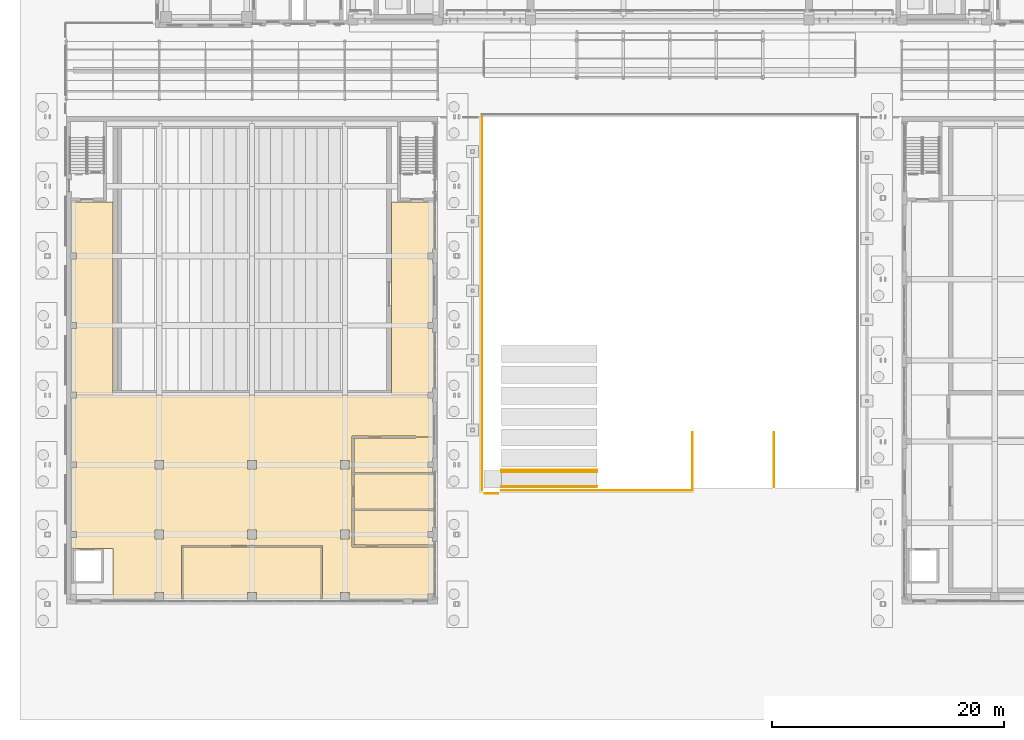
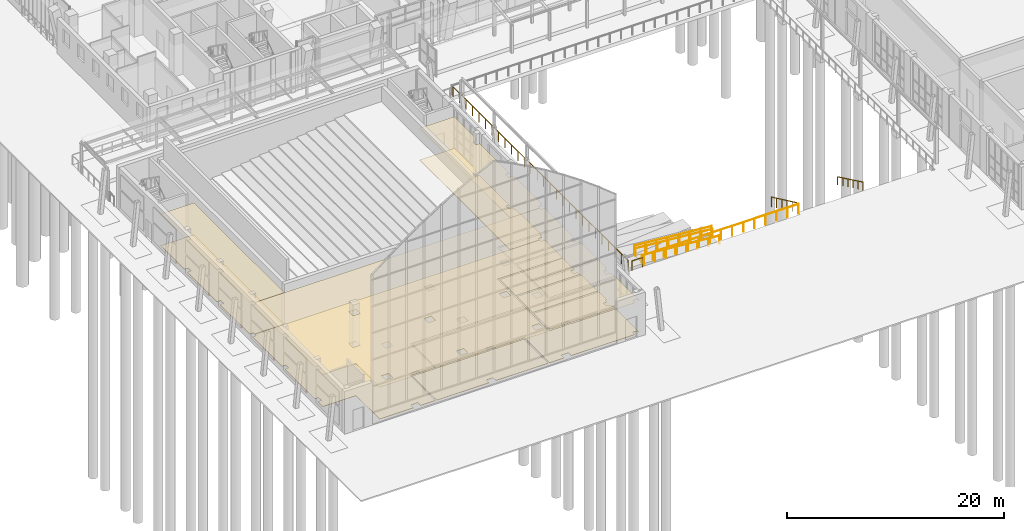
# One storey, part 119 of 144: 14 coverings, 8 railings.
"""IFC4 building model written with IfcOpenShell, lengths in metres."""

from ifc_helpers import new_model, si_unit, direction, frame, origin, origin_2d, place, context, subcontext, project, spatial, polyline, circle, outline, extrude, material, layer, layer_set, type_object, element, save


model = new_model("IFC4")

# Units and contexts
model_context = context("Model", 3, precision=1e-05, world=origin(), true_north=direction((0.0, 1.0)))
body_context = subcontext(model_context, "Body", "Model", "MODEL_VIEW")
ifc_project = project(units=[si_unit("LENGTHUNIT", "METRE"), si_unit("AREAUNIT", "SQUARE_METRE"), si_unit("VOLUMEUNIT", "CUBIC_METRE"), si_unit("PLANEANGLEUNIT", "RADIAN"), si_unit("MASSUNIT", "GRAM", prefix="KILO")], contexts=[model_context])

# Site, building, storey
site_placement = place(None, origin())
site = spatial("IfcSite", under=ifc_project, at=site_placement, CompositionType="ELEMENT")
building_placement = place(site_placement, origin())
building = spatial("IfcBuilding", under=site, at=building_placement, Name="Lantern Court Media Centre", CompositionType="ELEMENT")
storey_placement = place(building_placement, origin())
storey = spatial("IfcBuildingStorey", under=building, at=storey_placement, Name="L00", CompositionType="ELEMENT", Elevation=0.0)

# Coverings
ifc_material_1 = material(Name="Carpet")
ifc_layer_1 = layer(ifc_material_1, 0.050048828125)
ifc_layer_set_1 = layer_set([ifc_layer_1], Name="Carpet")
covering_type_1 = type_object("IfcCoveringType", Name="Carpet floor finish", PredefinedType="FLOORING", material=ifc_layer_set_1)
covering_1_placement = place(storey_placement, origin())
element("IfcCovering", 1, at=covering_1_placement, inside=storey, type_object=covering_type_1, Name="Cinema Concessions floor finish", PredefinedType="FLOORING", context=body_context, shape_type="SweptSolid", body=[
    extrude(outline(polyline([(16.3798828125, -1.544921875), (16.375, -1.02001953125), (15.622314453125, -1.020751953125), (15.6201171875, -1.544921875), (10.0673828125, -1.544921875), (10.0673828125, 2.9326171875), (21.9326171875, 2.9326171875), (21.9326171875, -1.544921875), (16.3798828125, -1.544921875)])), origin(), (0.0, 0.0, 1.0), 0.050048828125),
])
ifc_material_2 = material(Name="Ceramic tile")
ifc_layer_2 = layer(ifc_material_2, 0.050048828125)
ifc_layer_set_2 = layer_set([ifc_layer_2], Name="Ceramic tile")
covering_type_2 = type_object("IfcCoveringType", Name="Ceramic tile floor finish", PredefinedType="FLOORING", material=ifc_layer_set_2)
covering_2_placement = place(storey_placement, origin())
element("IfcCovering", 2, at=covering_2_placement, inside=storey, type_object=covering_type_2, Name="WC Male floor finish", PredefinedType="FLOORING", context=body_context, shape_type="SweptSolid", body=[
    extrude(outline(polyline([(31.699951171875, 3.080078125), (24.780029296875, 3.080078125), (24.780029296875, 6.052978515625), (31.699951171875, 6.052978515625), (31.699951171875, 4.60498046875), (31.54541015625, 4.601806640625), (31.544921875, 4.2548828125), (31.14501953125, 4.25), (31.1455078125, 3.74755859375), (31.544921875, 3.7451171875), (31.545166015625, 3.39892578125), (31.699951171875, 3.39501953125), (31.699951171875, 3.080078125)])), origin(), (0.0, 0.0, 1.0), 0.050048828125),
])
covering_3_placement = place(storey_placement, origin())
element("IfcCovering", 3, at=covering_3_placement, inside=storey, type_object=covering_type_2, Name="WC Female floor finish", PredefinedType="FLOORING", context=body_context, shape_type="SweptSolid", body=[
    extrude(outline(polyline([(31.699951171875, 6.212890625), (24.780029296875, 6.212890625), (24.780029296875, 9.18701171875), (31.699951171875, 9.18701171875), (31.699951171875, 6.212890625)])), origin(), (0.0, 0.0, 1.0), 0.050048828125),
])
covering_4_placement = place(storey_placement, origin())
element("IfcCovering", 4, at=covering_4_placement, inside=storey, type_object=covering_type_2, Name="Accessible WC floor finish", PredefinedType="FLOORING", context=body_context, shape_type="SweptSolid", body=[
    extrude(outline(polyline([(31.699951171875, 9.346923828125), (24.780029296875, 9.346923828125), (24.780029296875, 12.320068359375), (30.14501953125, 12.320068359375), (30.14990234375, 12.39990234375), (31.544921875, 12.39990234375), (31.544921875, 10.2548828125), (31.146240234375, 10.253173828125), (31.14501953125, 9.74951171875), (31.544921875, 9.7451171875), (31.54541015625, 9.398193359375), (31.699951171875, 9.39501953125), (31.699951171875, 9.346923828125)])), origin(), (0.0, 0.0, 1.0), 0.050048828125),
])

# Railings
ifc_material_3 = material(Name="Powder-coated steel", Category="steel")
railing_type_1 = type_object("IfcRailingType", Name="Floor edge guard 1100", PredefinedType="GUARDRAIL", material=ifc_material_3)
railing_1_placement = place(storey_placement, frame((36.0869140625, 7.5400390625, 0.0)))
element("IfcRailing", 5, at=railing_1_placement, inside=storey, type_object=railing_type_1, Name="L00 opening guard 11", PredefinedType="GUARDRAIL", context=body_context, shape_type="SweptSolid", body=[
    extrude(circle(Radius=0.02392578125, at=origin_2d()), frame((0.0, 0.0, 1.076171875), z_axis=(1.0, 0.0, 0.0), x_axis=(0.0, 1.0, 0.0)), (0.0, 0.0, 1.0), 1.126220703125),
    extrude(circle(Radius=0.02099609375, at=origin_2d()), origin(), (0.0, 0.0, 1.0), 1.052001953125),
    extrude(circle(Radius=0.02099609375, at=origin_2d()), frame((1.126220703125, 0.0, 0.0)), (0.0, 0.0, 1.0), 1.052001953125),
])
ifc_material_4 = material(Name="Steel, galvanised", Category="steel")
railing_type_2 = type_object("IfcRailingType", Name="Forecourt guard 1100", PredefinedType="GUARDRAIL", material=ifc_material_4)
railing_2_placement = place(storey_placement, frame((53.949951171875, 12.800048828125, -2.25)))
element("IfcRailing", 6, at=railing_2_placement, inside=storey, type_object=railing_type_2, Name="Steps guard, upper flight", PredefinedType="GUARDRAIL", context=body_context, shape_type="SweptSolid", body=[
    extrude(circle(Radius=0.02392578125, at=origin_2d()), frame((0.0, 0.0, 1.076171875), z_axis=(0.0, -0.90546059521, 0.424430336476), x_axis=(1.0, 0.0, 0.0)), (0.0, 0.0, 1.0), 5.30126953125),
    extrude(circle(Radius=0.02099609375, at=origin_2d()), origin(), (0.0, 0.0, 1.0), 1.052001953125),
    extrude(circle(Radius=0.02099609375, at=origin_2d()), frame((0.0, -0.9599609375, 0.449951171875)), (0.0, 0.0, 1.0), 1.052001953125),
    extrude(circle(Radius=0.02099609375, at=origin_2d()), frame((0.0, -1.919921875, 0.89990234375)), (0.0, 0.0, 1.0), 1.052001953125),
    extrude(circle(Radius=0.02099609375, at=origin_2d()), frame((0.0, -2.880126953125, 1.35009765625)), (0.0, 0.0, 1.0), 1.052001953125),
    extrude(circle(Radius=0.02099609375, at=origin_2d()), frame((0.0, -3.840087890625, 1.800048828125)), (0.0, 0.0, 1.0), 1.052001953125),
    extrude(circle(Radius=0.02099609375, at=origin_2d()), frame((0.0, -4.800048828125, 2.25)), (0.0, 0.0, 1.0), 1.052001953125),
])
railing_3_placement = place(storey_placement, frame((37.5, 9.550048828125, 0.0)))
element("IfcRailing", 7, at=railing_3_placement, inside=storey, type_object=railing_type_2, Name="Ramp 1 guard N", PredefinedType="GUARDRAIL", context=body_context, shape_type="SweptSolid", body=[
    extrude(circle(Radius=0.02392578125, at=origin_2d()), frame((0.0, 0.0, 1.076171875), z_axis=(0.99654494254, 0.0, -0.083055267731), x_axis=(0.0, 1.0, 0.0)), (0.0, 0.0, 1.0), 8.257080078125),
    extrude(circle(Radius=0.02099609375, at=origin_2d()), origin(), (0.0, 0.0, 1.0), 1.052001953125),
    extrude(circle(Radius=0.02099609375, at=origin_2d()), frame((1.175537109375, 0.0, -0.097900390625)), (0.0, 0.0, 1.0), 1.052001953125),
    extrude(circle(Radius=0.02099609375, at=origin_2d()), frame((2.35107421875, 0.0, -0.196044921875)), (0.0, 0.0, 1.0), 1.052001953125),
    extrude(circle(Radius=0.02099609375, at=origin_2d()), frame((3.526611328125, 0.0, -0.2939453125)), (0.0, 0.0, 1.0), 1.052001953125),
    extrude(circle(Radius=0.02099609375, at=origin_2d()), frame((4.701904296875, 0.0, -0.391845703125)), (0.0, 0.0, 1.0), 1.052001953125),
    extrude(circle(Radius=0.02099609375, at=origin_2d()), frame((5.87744140625, 0.0, -0.48974609375)), (0.0, 0.0, 1.0), 1.052001953125),
    extrude(circle(Radius=0.02099609375, at=origin_2d()), frame((7.052978515625, 0.0, -0.587890625)), (0.0, 0.0, 1.0), 1.052001953125),
    extrude(circle(Radius=0.02099609375, at=origin_2d()), frame((8.228515625, 0.0, -0.685791015625)), (0.0, 0.0, 1.0), 1.052001953125),
])
railing_4_placement = place(storey_placement, frame((35.800048828125, 7.800048828125, 0.0)))
element("IfcRailing", 8, at=railing_4_placement, inside=storey, type_object=railing_type_2, Name="Forecourt west edge guard", PredefinedType="GUARDRAIL", context=body_context, shape_type="SweptSolid", body=[
    extrude(circle(Radius=0.02392578125, at=origin_2d()), frame((0.0, 0.0, 1.076171875), z_axis=(0.0, 1.0, 0.0), x_axis=(-1.0, 0.0, 0.0)), (0.0, 0.0, 1.0), 32.199951171875),
    extrude(circle(Radius=0.02099609375, at=origin_2d()), origin(), (0.0, 0.0, 1.0), 1.052001953125),
    extrude(circle(Radius=0.02099609375, at=origin_2d()), frame((0.0, 1.192626953125, 0.0)), (0.0, 0.0, 1.0), 1.052001953125),
    extrude(circle(Radius=0.02099609375, at=origin_2d()), frame((0.0, 2.38525390625, 0.0)), (0.0, 0.0, 1.0), 1.052001953125),
    extrude(circle(Radius=0.02099609375, at=origin_2d()), frame((0.0, 3.577880859375, 0.0)), (0.0, 0.0, 1.0), 1.052001953125),
    extrude(circle(Radius=0.02099609375, at=origin_2d()), frame((0.0, 4.770263671875, 0.0)), (0.0, 0.0, 1.0), 1.052001953125),
    extrude(circle(Radius=0.02099609375, at=origin_2d()), frame((0.0, 5.962890625, 0.0)), (0.0, 0.0, 1.0), 1.052001953125),
    extrude(circle(Radius=0.02099609375, at=origin_2d()), frame((0.0, 7.155517578125, 0.0)), (0.0, 0.0, 1.0), 1.052001953125),
    extrude(circle(Radius=0.02099609375, at=origin_2d()), frame((0.0, 8.34814453125, 0.0)), (0.0, 0.0, 1.0), 1.052001953125),
    extrude(circle(Radius=0.02099609375, at=origin_2d()), frame((0.0, 9.540771484375, 0.0)), (0.0, 0.0, 1.0), 1.052001953125),
    extrude(circle(Radius=0.02099609375, at=origin_2d()), frame((0.0, 10.7333984375, 0.0)), (0.0, 0.0, 1.0), 1.052001953125),
    extrude(circle(Radius=0.02099609375, at=origin_2d()), frame((0.0, 11.926025390625, 0.0)), (0.0, 0.0, 1.0), 1.052001953125),
    extrude(circle(Radius=0.02099609375, at=origin_2d()), frame((0.0, 13.118408203125, 0.0)), (0.0, 0.0, 1.0), 1.052001953125),
    extrude(circle(Radius=0.02099609375, at=origin_2d()), frame((0.0, 14.31103515625, 0.0)), (0.0, 0.0, 1.0), 1.052001953125),
    extrude(circle(Radius=0.02099609375, at=origin_2d()), frame((0.0, 15.503662109375, 0.0)), (0.0, 0.0, 1.0), 1.052001953125),
    extrude(circle(Radius=0.02099609375, at=origin_2d()), frame((0.0, 16.6962890625, 0.0)), (0.0, 0.0, 1.0), 1.052001953125),
    extrude(circle(Radius=0.02099609375, at=origin_2d()), frame((0.0, 17.888916015625, 0.0)), (0.0, 0.0, 1.0), 1.052001953125),
    extrude(circle(Radius=0.02099609375, at=origin_2d()), frame((0.0, 19.08154296875, 0.0)), (0.0, 0.0, 1.0), 1.052001953125),
    extrude(circle(Radius=0.02099609375, at=origin_2d()), frame((0.0, 20.27392578125, 0.0)), (0.0, 0.0, 1.0), 1.052001953125),
    extrude(circle(Radius=0.02099609375, at=origin_2d()), frame((0.0, 21.466552734375, 0.0)), (0.0, 0.0, 1.0), 1.052001953125),
    extrude(circle(Radius=0.02099609375, at=origin_2d()), frame((0.0, 22.6591796875, 0.0)), (0.0, 0.0, 1.0), 1.052001953125),
    extrude(circle(Radius=0.02099609375, at=origin_2d()), frame((0.0, 23.851806640625, 0.0)), (0.0, 0.0, 1.0), 1.052001953125),
    extrude(circle(Radius=0.02099609375, at=origin_2d()), frame((0.0, 25.04443359375, 0.0)), (0.0, 0.0, 1.0), 1.052001953125),
    extrude(circle(Radius=0.02099609375, at=origin_2d()), frame((0.0, 26.237060546875, 0.0)), (0.0, 0.0, 1.0), 1.052001953125),
    extrude(circle(Radius=0.02099609375, at=origin_2d()), frame((0.0, 27.4296875, 0.0)), (0.0, 0.0, 1.0), 1.052001953125),
    extrude(circle(Radius=0.02099609375, at=origin_2d()), frame((0.0, 28.6220703125, 0.0)), (0.0, 0.0, 1.0), 1.052001953125),
    extrude(circle(Radius=0.02099609375, at=origin_2d()), frame((0.0, 29.814697265625, 0.0)), (0.0, 0.0, 1.0), 1.052001953125),
    extrude(circle(Radius=0.02099609375, at=origin_2d()), frame((0.0, 31.00732421875, 0.0)), (0.0, 0.0, 1.0), 1.052001953125),
    extrude(circle(Radius=0.02099609375, at=origin_2d()), frame((0.0, 32.199951171875, 0.0)), (0.0, 0.0, 1.0), 1.052001953125),
])
railing_5_placement = place(storey_placement, frame((37.5, 7.800048828125, 0.0)))
element("IfcRailing", 9, at=railing_5_placement, inside=storey, type_object=railing_type_2, Name="Forecourt south edge guard", PredefinedType="GUARDRAIL", context=body_context, shape_type="SweptSolid", body=[
    extrude(circle(Radius=0.02392578125, at=origin_2d()), frame((0.0, 0.0, 1.076171875), z_axis=(1.0, 0.0, 0.0), x_axis=(0.0, 1.0, 0.0)), (0.0, 0.0, 1.0), 16.449951171875),
    extrude(circle(Radius=0.02099609375, at=origin_2d()), origin(), (0.0, 0.0, 1.0), 1.052001953125),
    extrude(circle(Radius=0.02099609375, at=origin_2d()), frame((1.175048828125, 0.0, 0.0)), (0.0, 0.0, 1.0), 1.052001953125),
    extrude(circle(Radius=0.02099609375, at=origin_2d()), frame((2.35009765625, 0.0, 0.0)), (0.0, 0.0, 1.0), 1.052001953125),
    extrude(circle(Radius=0.02099609375, at=origin_2d()), frame((3.52490234375, 0.0, 0.0)), (0.0, 0.0, 1.0), 1.052001953125),
    extrude(circle(Radius=0.02099609375, at=origin_2d()), frame((4.699951171875, 0.0, 0.0)), (0.0, 0.0, 1.0), 1.052001953125),
    extrude(circle(Radius=0.02099609375, at=origin_2d()), frame((5.875, 0.0, 0.0)), (0.0, 0.0, 1.0), 1.052001953125),
    extrude(circle(Radius=0.02099609375, at=origin_2d()), frame((7.050048828125, 0.0, 0.0)), (0.0, 0.0, 1.0), 1.052001953125),
    extrude(circle(Radius=0.02099609375, at=origin_2d()), frame((8.22509765625, 0.0, 0.0)), (0.0, 0.0, 1.0), 1.052001953125),
    extrude(circle(Radius=0.02099609375, at=origin_2d()), frame((9.39990234375, 0.0, 0.0)), (0.0, 0.0, 1.0), 1.052001953125),
    extrude(circle(Radius=0.02099609375, at=origin_2d()), frame((10.574951171875, 0.0, 0.0)), (0.0, 0.0, 1.0), 1.052001953125),
    extrude(circle(Radius=0.02099609375, at=origin_2d()), frame((11.75, 0.0, 0.0)), (0.0, 0.0, 1.0), 1.052001953125),
    extrude(circle(Radius=0.02099609375, at=origin_2d()), frame((12.925048828125, 0.0, 0.0)), (0.0, 0.0, 1.0), 1.052001953125),
    extrude(circle(Radius=0.02099609375, at=origin_2d()), frame((14.099853515625, 0.0, 0.0)), (0.0, 0.0, 1.0), 1.052001953125),
    extrude(circle(Radius=0.02099609375, at=origin_2d()), frame((15.27490234375, 0.0, 0.0)), (0.0, 0.0, 1.0), 1.052001953125),
    extrude(circle(Radius=0.02099609375, at=origin_2d()), frame((16.449951171875, 0.0, 0.0)), (0.0, 0.0, 1.0), 1.052001953125),
])
railing_type_3 = type_object("IfcRailingType", Name="Forecourt handrail 900", PredefinedType="HANDRAIL", material=ifc_material_4)
railing_6_placement = place(storey_placement, frame((61.0, 12.800048828125, -2.25)))
element("IfcRailing", 10, at=railing_6_placement, inside=storey, type_object=railing_type_3, Name="Steps centre handrail, upper flight", PredefinedType="HANDRAIL", context=body_context, shape_type="SweptSolid", body=[
    extrude(circle(Radius=0.02392578125, at=origin_2d()), frame((0.0, 0.0, 0.8759765625), z_axis=(0.0, -0.901970026166, 0.431798647402), x_axis=(1.0, 0.0, 0.0)), (0.0, 0.0, 1.0), 5.210693359375),
    extrude(circle(Radius=0.02099609375, at=origin_2d()), origin(), (0.0, 0.0, 1.0), 0.851806640625),
    extrude(circle(Radius=0.02099609375, at=origin_2d()), frame((0.0, -0.93994140625, 0.449951171875)), (0.0, 0.0, 1.0), 0.851806640625),
    extrude(circle(Radius=0.02099609375, at=origin_2d()), frame((0.0, -1.8798828125, 0.89990234375)), (0.0, 0.0, 1.0), 0.851806640625),
    extrude(circle(Radius=0.02099609375, at=origin_2d()), frame((0.0, -2.820068359375, 1.35009765625)), (0.0, 0.0, 1.0), 0.851806640625),
    extrude(circle(Radius=0.02099609375, at=origin_2d()), frame((0.0, -3.760009765625, 1.800048828125)), (0.0, 0.0, 1.0), 0.851806640625),
    extrude(circle(Radius=0.02099609375, at=origin_2d()), frame((0.0, -4.699951171875, 2.25)), (0.0, 0.0, 1.0), 0.851806640625),
])
for number, where, name in (
    (11, (37.5, 8.1201171875, 0.0), "Ramp 1 handrail a"),
    (12, (37.5, 9.3798828125, 0.0), "Ramp 1 handrail b"),
):
    element("IfcRailing", number, at=place(storey_placement, frame(where)), inside=storey, type_object=railing_type_3, Name=name, PredefinedType="HANDRAIL", context=body_context, shape_type="SweptSolid", body=[
        extrude(circle(Radius=0.02392578125, at=origin_2d()), frame((0.0, 0.0, 0.8759765625), z_axis=(0.99654494254, 0.0, -0.083055267731), x_axis=(0.0, 1.0, 0.0)), (0.0, 0.0, 1.0), 8.257080078125),
        extrude(circle(Radius=0.02099609375, at=origin_2d()), origin(), (0.0, 0.0, 1.0), 0.851806640625),
        extrude(circle(Radius=0.02099609375, at=origin_2d()), frame((1.175537109375, 0.0, -0.097900390625)), (0.0, 0.0, 1.0), 0.851806640625),
        extrude(circle(Radius=0.02099609375, at=origin_2d()), frame((2.35107421875, 0.0, -0.196044921875)), (0.0, 0.0, 1.0), 0.851806640625),
        extrude(circle(Radius=0.02099609375, at=origin_2d()), frame((3.526611328125, 0.0, -0.2939453125)), (0.0, 0.0, 1.0), 0.851806640625),
        extrude(circle(Radius=0.02099609375, at=origin_2d()), frame((4.701904296875, 0.0, -0.391845703125)), (0.0, 0.0, 1.0), 0.851806640625),
        extrude(circle(Radius=0.02099609375, at=origin_2d()), frame((5.87744140625, 0.0, -0.48974609375)), (0.0, 0.0, 1.0), 0.851806640625),
        extrude(circle(Radius=0.02099609375, at=origin_2d()), frame((7.052978515625, 0.0, -0.587890625)), (0.0, 0.0, 1.0), 0.851806640625),
        extrude(circle(Radius=0.02099609375, at=origin_2d()), frame((8.228515625, 0.0, -0.685791015625)), (0.0, 0.0, 1.0), 0.851806640625),
    ])

# Coverings
ifc_material_5 = material(Name="Stone", Category="masonry")
ifc_layer_3 = layer(ifc_material_5, 0.050048828125)
ifc_layer_set_3 = layer_set([ifc_layer_3], Name="Stone")
covering_type_3 = type_object("IfcCoveringType", Name="Stone floor finish", PredefinedType="FLOORING", material=ifc_layer_set_3)
covering_5_placement = place(storey_placement, origin())
element("IfcCovering", 13, at=covering_5_placement, inside=storey, type_object=covering_type_3, Name="Cinema Hall Foyer floor finish", PredefinedType="FLOORING", context=body_context, shape_type="SweptSolid", body=[
    extrude(outline(polyline([(31.14501953125, 16.0), (31.147216796875, 15.745849609375), (31.544921875, 15.7451171875), (31.544921875, 12.39990234375), (30.14990234375, 12.39990234375), (30.14501953125, 12.47998046875), (24.62060546875, 12.477294921875), (24.6201171875, 2.925048828125), (31.699951171875, 2.919921875), (31.699951171875, -1.39501953125), (31.655029296875, -1.39501953125), (31.65185546875, -1.145263671875), (31.14990234375, -1.14501953125), (31.14501953125, -1.544921875), (24.3798828125, -1.544921875), (24.377685546875, -1.020751953125), (23.625, -1.02001953125), (23.6201171875, -1.544921875), (22.0673828125, -1.544921875), (22.0634765625, 3.0673828125), (9.9375, 3.0673828125), (9.9326171875, -1.544921875), (8.3798828125, -1.544921875), (8.375, -1.02001953125), (7.622314453125, -1.020751953125), (7.6201171875, -1.544921875), (4.0, -1.544921875), (4.0, 2.800048828125), (0.455078125, 2.804931640625), (0.455078125, 3.7451171875), (0.85498046875, 3.75), (0.853759765625, 4.253173828125), (0.455078125, 4.2548828125), (0.455078125, 9.7451171875), (0.85498046875, 9.75), (0.853759765625, 10.253173828125), (0.455078125, 10.2548828125), (0.455078125, 15.7451171875), (0.852783203125, 15.745849609375), (0.85498046875, 16.0), (31.14501953125, 16.0)]), holes=[polyline([(23.6201171875, 9.625), (24.37841796875, 9.62158203125), (24.37841796875, 10.37841796875), (23.62158203125, 10.37841796875), (23.6201171875, 9.625)]), polyline([(23.6201171875, 3.625), (24.37841796875, 3.62158203125), (24.37841796875, 4.37841796875), (23.62158203125, 4.37841796875), (23.6201171875, 3.625)]), polyline([(15.6201171875, 9.625), (16.37841796875, 9.62158203125), (16.37841796875, 10.37841796875), (15.62158203125, 10.37841796875), (15.6201171875, 9.625)]), polyline([(15.6201171875, 3.625), (16.37841796875, 3.62158203125), (16.37841796875, 4.37841796875), (15.62158203125, 4.37841796875), (15.6201171875, 3.625)]), polyline([(7.6201171875, 9.625), (8.37841796875, 9.62158203125), (8.37841796875, 10.37841796875), (7.62158203125, 10.37841796875), (7.6201171875, 9.625)]), polyline([(7.6201171875, 3.625), (8.37841796875, 3.62158203125), (8.37841796875, 4.37841796875), (7.62158203125, 4.37841796875), (7.6201171875, 3.625)])]), origin(), (0.0, 0.0, 1.0), 0.050048828125),
])
ifc_material_6 = material(Name="Mineral fibre ceiling tile")
ifc_layer_4 = layer(ifc_material_6, 0.02001953125)
ifc_layer_set_4 = layer_set([ifc_layer_4], Name="Mineral fibre ceiling tile")
covering_type_4 = type_object("IfcCoveringType", Name="Suspended ceiling tile", PredefinedType="CEILING", material=ifc_layer_set_4)
covering_6_placement = place(storey_placement, frame((0.0, 0.0, 3.60009765625)))
element("IfcCovering", 14, at=covering_6_placement, inside=storey, type_object=covering_type_4, Name="Cinema Hall Foyer ceiling", PredefinedType="CEILING", context=body_context, shape_type="SweptSolid", body=[
    extrude(outline(polyline([(31.1494140625, 16.0), (31.149658203125, 15.74951171875), (31.549560546875, 15.74951171875), (31.549560546875, 12.39990234375), (30.1455078125, 12.39990234375), (30.14501953125, 12.4755859375), (24.62451171875, 12.475341796875), (24.62451171875, 2.925048828125), (31.699951171875, 2.924560546875), (31.699951171875, -1.3994140625), (31.650390625, -1.3994140625), (31.650146484375, -1.149658203125), (31.14990234375, -1.1494140625), (31.1494140625, -1.549560546875), (24.37548828125, -1.549560546875), (24.375244140625, -1.024658203125), (23.625, -1.0244140625), (23.62451171875, -1.549560546875), (22.0, -1.549560546875), (22.06298828125, -1.544921875), (22.0625, 3.06298828125), (9.9375, 3.06298828125), (9.93701171875, -1.544921875), (10.0, -1.549560546875), (8.37548828125, -1.549560546875), (8.375, -1.0244140625), (7.624755859375, -1.024658203125), (7.62451171875, -1.549560546875), (4.0, -1.549560546875), (4.0, 2.800048828125), (0.450439453125, 2.800537109375), (0.450439453125, 3.74951171875), (0.8505859375, 3.75), (0.850341796875, 4.250244140625), (0.450439453125, 4.25048828125), (0.450439453125, 9.74951171875), (0.8505859375, 9.75), (0.850341796875, 10.250244140625), (0.450439453125, 10.25048828125), (0.450439453125, 15.74951171875), (0.850341796875, 15.74951171875), (0.8505859375, 16.0), (31.1494140625, 16.0)]), holes=[polyline([(24.375, 9.62451171875), (24.375244140625, 10.375244140625), (23.624755859375, 10.375244140625), (23.624755859375, 9.624755859375), (24.375, 9.62451171875)]), polyline([(24.375, 3.62451171875), (24.375244140625, 4.375244140625), (23.624755859375, 4.375244140625), (23.624755859375, 3.624755859375), (24.375, 3.62451171875)]), polyline([(16.375, 9.62451171875), (16.375244140625, 10.375244140625), (15.624755859375, 10.375244140625), (15.624755859375, 9.624755859375), (16.375, 9.62451171875)]), polyline([(16.375, 3.62451171875), (16.375244140625, 4.375244140625), (15.624755859375, 4.375244140625), (15.624755859375, 3.624755859375), (16.375, 3.62451171875)]), polyline([(8.375, 3.62451171875), (8.375244140625, 4.375244140625), (7.624755859375, 4.375244140625), (7.624755859375, 3.624755859375), (8.375, 3.62451171875)]), polyline([(8.375, 9.62451171875), (8.375244140625, 10.375244140625), (7.624755859375, 10.375244140625), (7.624755859375, 9.624755859375), (8.375, 9.62451171875)])]), origin(), (0.0, 0.0, 1.0), 0.02001953125),
])
covering_7_placement = place(storey_placement, frame((0.0, 0.0, 3.60009765625)))
element("IfcCovering", 15, at=covering_7_placement, inside=storey, type_object=covering_type_4, Name="Cinema Concessions ceiling", PredefinedType="CEILING", context=body_context, shape_type="SweptSolid", body=[
    extrude(outline(polyline([(22.0, -1.549560546875), (16.37548828125, -1.549560546875), (16.375, -1.0244140625), (15.624755859375, -1.024658203125), (15.62451171875, -1.549560546875), (10.0, -1.549560546875), (10.06298828125, -1.544921875), (10.06298828125, 2.93701171875), (21.93701171875, 2.93701171875), (21.93701171875, -1.544921875), (22.0, -1.549560546875)])), origin(), (0.0, 0.0, 1.0), 0.02001953125),
])
covering_8_placement = place(storey_placement, frame((0.0, 0.0, 3.60009765625)))
element("IfcCovering", 16, at=covering_8_placement, inside=storey, type_object=covering_type_4, Name="WC Male ceiling", PredefinedType="CEILING", context=body_context, shape_type="SweptSolid", body=[
    extrude(outline(polyline([(31.699951171875, 3.075439453125), (24.775390625, 3.075439453125), (24.775390625, 6.0576171875), (31.699951171875, 6.0576171875), (31.699951171875, 4.6005859375), (31.549560546875, 4.60009765625), (31.549560546875, 4.25048828125), (31.1494140625, 4.25), (31.149658203125, 3.749755859375), (31.549560546875, 3.74951171875), (31.549560546875, 3.39990234375), (31.699951171875, 3.3994140625), (31.699951171875, 3.075439453125)])), origin(), (0.0, 0.0, 1.0), 0.02001953125),
])
covering_9_placement = place(storey_placement, frame((0.0, 0.0, 3.60009765625)))
element("IfcCovering", 17, at=covering_9_placement, inside=storey, type_object=covering_type_4, Name="WC Female ceiling", PredefinedType="CEILING", context=body_context, shape_type="SweptSolid", body=[
    extrude(outline(polyline([(31.699951171875, 6.20849609375), (24.775390625, 6.20849609375), (24.775390625, 9.19140625), (31.699951171875, 9.19140625), (31.699951171875, 6.20849609375)])), origin(), (0.0, 0.0, 1.0), 0.02001953125),
])
covering_10_placement = place(storey_placement, frame((0.0, 0.0, 3.60009765625)))
element("IfcCovering", 18, at=covering_10_placement, inside=storey, type_object=covering_type_4, Name="Accessible WC ceiling", PredefinedType="CEILING", context=body_context, shape_type="SweptSolid", body=[
    extrude(outline(polyline([(31.699951171875, 9.342529296875), (24.775390625, 9.342529296875), (24.775390625, 12.324462890625), (30.14501953125, 12.324462890625), (30.1455078125, 12.39990234375), (31.549560546875, 12.39990234375), (31.549560546875, 10.25048828125), (31.149658203125, 10.250244140625), (31.1494140625, 9.75), (31.549560546875, 9.74951171875), (31.549560546875, 9.39990234375), (31.699951171875, 9.3994140625), (31.699951171875, 9.342529296875)])), origin(), (0.0, 0.0, 1.0), 0.02001953125),
])
covering_11_placement = place(storey_placement, frame((0.0, 0.0, 3.60009765625)))
element("IfcCovering", 19, at=covering_11_placement, inside=storey, type_object=covering_type_4, Name="Exit Corridor ceiling", PredefinedType="CEILING", context=body_context, shape_type="SweptSolid", body=[
    extrude(outline(polyline([(3.99951171875, 32.64990234375), (3.99951171875, 16.0), (0.8505859375, 16.0), (0.850341796875, 16.25048828125), (0.450439453125, 16.25048828125), (0.450439453125, 21.74951171875), (0.8505859375, 21.75), (0.850341796875, 22.250244140625), (0.450439453125, 22.25048828125), (0.450439453125, 27.74951171875), (0.8505859375, 27.75), (0.850341796875, 28.250244140625), (0.450439453125, 28.25048828125), (0.450439453125, 32.64990234375), (3.99951171875, 32.64990234375)])), origin(), (0.0, 0.0, 1.0), 0.02001953125),
])
covering_12_placement = place(storey_placement, frame((0.0, 0.0, 3.60009765625)))
element("IfcCovering", 20, at=covering_12_placement, inside=storey, type_object=covering_type_4, Name="Exit Corridor ceiling", PredefinedType="CEILING", context=body_context, shape_type="SweptSolid", body=[
    extrude(outline(polyline([(31.699951171875, 16.6005859375), (31.549560546875, 16.60009765625), (31.549560546875, 16.25048828125), (31.149658203125, 16.250244140625), (31.1494140625, 16.0), (28.00048828125, 16.0), (28.00048828125, 32.64990234375), (31.699951171875, 32.64990234375), (31.699951171875, 28.6005859375), (31.549560546875, 28.60009765625), (31.549560546875, 28.25048828125), (31.1494140625, 28.25), (31.149658203125, 27.749755859375), (31.549560546875, 27.74951171875), (31.549560546875, 22.25048828125), (31.149658203125, 22.250244140625), (31.1494140625, 21.75), (31.549560546875, 21.74951171875), (31.549560546875, 21.39990234375), (31.699951171875, 21.3994140625), (31.699951171875, 16.6005859375)])), origin(), (0.0, 0.0, 1.0), 0.02001953125),
])
ifc_material_7 = material(Name="Terrazzo")
ifc_layer_5 = layer(ifc_material_7, 0.050048828125)
ifc_layer_set_5 = layer_set([ifc_layer_5], Name="Terrazzo")
covering_type_5 = type_object("IfcCoveringType", Name="Terrazzo floor finish", PredefinedType="FLOORING", material=ifc_layer_set_5)
covering_13_placement = place(storey_placement, origin())
element("IfcCovering", 21, at=covering_13_placement, inside=storey, type_object=covering_type_5, Name="Exit Corridor floor finish", PredefinedType="FLOORING", context=body_context, shape_type="SweptSolid", body=[
    extrude(outline(polyline([(3.9951171875, 32.64990234375), (3.9951171875, 16.0), (0.85498046875, 16.0), (0.852783203125, 16.254150390625), (0.455078125, 16.2548828125), (0.455078125, 21.7451171875), (0.85498046875, 21.75), (0.853759765625, 22.253173828125), (0.455078125, 22.2548828125), (0.455078125, 27.7451171875), (0.85498046875, 27.75), (0.853759765625, 28.253173828125), (0.455078125, 28.2548828125), (0.455078125, 32.64990234375), (3.9951171875, 32.64990234375)])), origin(), (0.0, 0.0, 1.0), 0.050048828125),
])
covering_14_placement = place(storey_placement, origin())
element("IfcCovering", 22, at=covering_14_placement, inside=storey, type_object=covering_type_5, Name="Exit Corridor floor finish", PredefinedType="FLOORING", context=body_context, shape_type="SweptSolid", body=[
    extrude(outline(polyline([(31.699951171875, 16.60498046875), (31.54541015625, 16.601806640625), (31.544921875, 16.2548828125), (31.146484375, 16.25341796875), (31.14501953125, 16.0), (28.0048828125, 16.0), (28.0048828125, 32.64990234375), (31.699951171875, 32.64990234375), (31.699951171875, 28.60498046875), (31.54541015625, 28.601806640625), (31.544921875, 28.2548828125), (31.14501953125, 28.25), (31.146240234375, 27.746826171875), (31.544921875, 27.7451171875), (31.544921875, 22.2548828125), (31.146240234375, 22.253173828125), (31.14501953125, 21.75), (31.544921875, 21.7451171875), (31.54541015625, 21.398193359375), (31.699951171875, 21.39501953125), (31.699951171875, 16.60498046875)])), origin(), (0.0, 0.0, 1.0), 0.050048828125),
])

save(model, "model.ifc")
